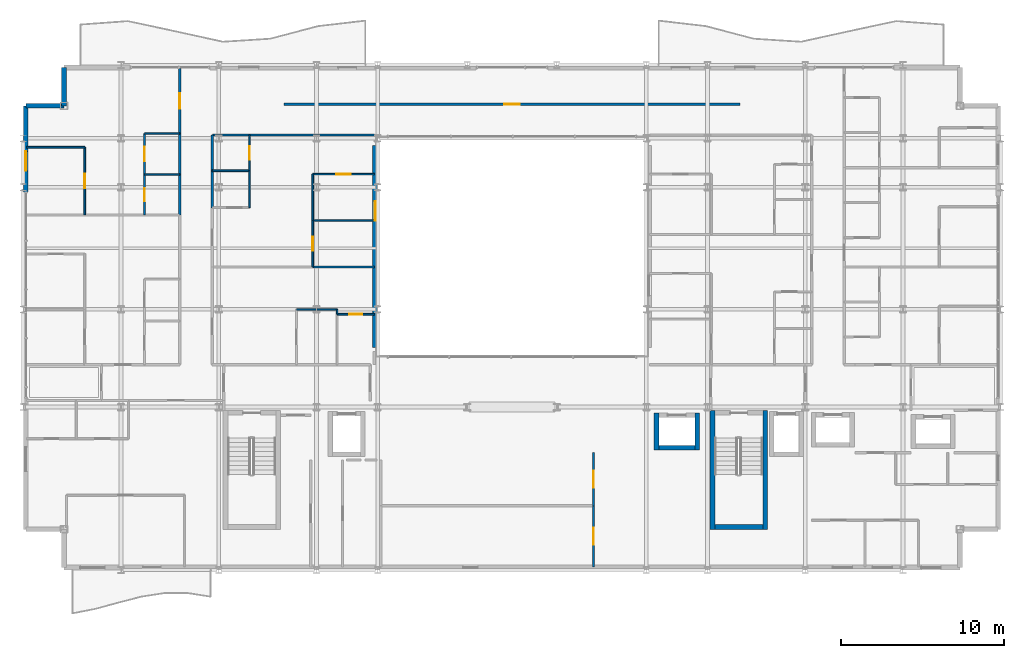
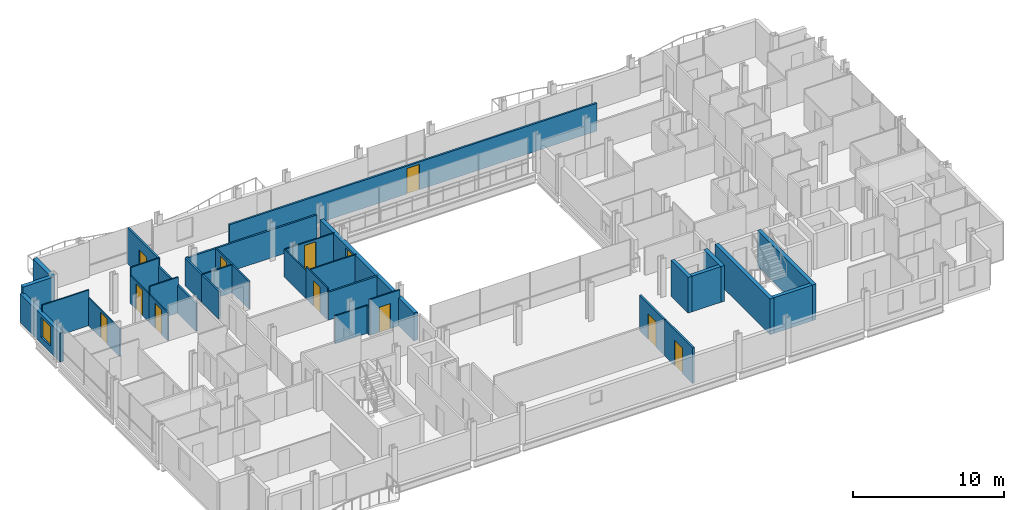
# One storey, part 33 of 40: 37 walls, 11 doors, 2 windows, 13 openings.
"""IFC4 building model written with IfcOpenShell, lengths in metres."""

from ifc_helpers import new_model, si_unit, direction, frame, frame_2d, origin, place, context, subcontext, project, spatial, rectangle, extrude, material, layer, layer_set, type_object, element, fill, save


model = new_model("IFC4")

# Units and contexts
model_context = context("Model", 3, precision=1e-05, world=origin(), true_north=direction((0.0, 1.0)))
body_context = subcontext(model_context, "Body", "Model", "MODEL_VIEW")
ifc_project = project(units=[si_unit("LENGTHUNIT", "METRE"), si_unit("AREAUNIT", "SQUARE_METRE"), si_unit("VOLUMEUNIT", "CUBIC_METRE"), si_unit("PLANEANGLEUNIT", "RADIAN"), si_unit("MASSUNIT", "GRAM", prefix="KILO")], contexts=[model_context])

# Site, building, storey
site_placement = place(None, origin())
site = spatial("IfcSite", under=ifc_project, at=site_placement, CompositionType="ELEMENT")
building_placement = place(site_placement, origin())
building = spatial("IfcBuilding", under=site, at=building_placement, Name="Brevholm Reach", CompositionType="ELEMENT")
storey_placement = place(building_placement, frame((0.0, 0.0, 125.199951171875)))
storey = spatial("IfcBuildingStorey", under=building, at=storey_placement, Name="L37", CompositionType="ELEMENT", Elevation=125.199951171875)

# Walls
ifc_material_1 = material(Name="Concrete C50/60", Category="concrete")
ifc_layer_1 = layer(ifc_material_1, 0.280029296875)
ifc_layer_set_1 = layer_set([ifc_layer_1], Name="Concrete C50/60")
wall_type_1 = type_object("IfcWallType", Name="WAL-COR-280", PredefinedType="SHEAR", material=ifc_layer_set_1)
for number, where, z_axis, x_axis, name in (
    (1, (42.31005859375, 2.5, 0.0), (0.0, 0.0, 1.0), (0.0, 1.0, 0.0), "L37 Escape Stair ST-2 Core Wall W"),
    (2, (45.5400390625, 2.5, 0.0), (0.0, 0.0, 1.0), (0.0, 1.0, 0.0), "L37 Escape Stair ST-2 Core Wall E"),
):
    element("IfcWall", number, at=place(storey_placement, frame(where, z_axis=z_axis, x_axis=x_axis)), inside=storey, type_object=wall_type_1, Name=name, PredefinedType="SHEAR", context=body_context, shape_type="SweptSolid", body=[
        extrude(rectangle(XDim=7.280029296875, YDim=0.280029296875, at=frame_2d((3.64013671875, 0.0))), origin(), (0.0, 0.0, 1.0), 2.880126953125),
    ])
wall_1_placement = place(storey_placement, frame((42.449951171875, 2.639892578125, 0.0), z_axis=(0.0, 0.0, 1.0), x_axis=(1.0, 0.0, 0.0)))
element("IfcWall", 3, at=wall_1_placement, inside=storey, type_object=wall_type_1, Name="L37 Escape Stair ST-2 Core Wall S", PredefinedType="SHEAR", context=body_context, shape_type="SweptSolid", body=[
    extrude(rectangle(XDim=2.949951171875, YDim=0.280029296875, at=frame_2d((1.47509765625, 0.0))), origin(), (0.0, 0.0, 1.0), 2.880126953125),
])
for number, where, z_axis, x_axis, name in (
    (4, (38.8701171875, 7.360107421875, 0.0), (0.0, 0.0, 1.0), (0.0, 1.0, 0.0), "L37 Lift PL-S1 Shaft Wall W"),
    (5, (41.3701171875, 7.360107421875, 0.0), (0.0, 0.0, 1.0), (0.0, 1.0, 0.0), "L37 Lift PL-S1 Shaft Wall E"),
):
    element("IfcWall", number, at=place(storey_placement, frame(where, z_axis=z_axis, x_axis=x_axis)), inside=storey, type_object=wall_type_1, Name=name, PredefinedType="SHEAR", context=body_context, shape_type="SweptSolid", body=[
        extrude(rectangle(XDim=2.27978515625, YDim=0.280029296875, at=frame_2d((1.139892578125, 0.0))), origin(), (0.0, 0.0, 1.0), 2.880126953125),
    ])
wall_2_placement = place(storey_placement, frame((39.010009765625, 7.5, 0.0), z_axis=(0.0, 0.0, 1.0), x_axis=(1.0, 0.0, 0.0)))
element("IfcWall", 6, at=wall_2_placement, inside=storey, type_object=wall_type_1, Name="L37 Lift PL-S1 Shaft Wall S", PredefinedType="SHEAR", context=body_context, shape_type="SweptSolid", body=[
    extrude(rectangle(XDim=2.219970703125, YDim=0.280029296875, at=frame_2d((1.10986328125, 0.0))), origin(), (0.0, 0.0, 1.0), 2.880126953125),
])
ifc_material_2 = material(Name="Concrete C40/50", Category="concrete")
ifc_layer_2 = layer(ifc_material_2, 0.300048828125)
ifc_layer_set_2 = layer_set([ifc_layer_2], Name="Concrete C40/50")
wall_type_2 = type_object("IfcWallType", Name="WAL-EXT-300", PredefinedType="STANDARD", material=ifc_layer_set_2)
for number, where, z_axis, x_axis, name in (
    (7, (2.5, 30.85009765625, 0.0), (0.0, 0.0, 1.0), (0.0, -1.0, 0.0), "L37 Facade Wall WAL-L37-CNW1"),
    (8, (2.5, 28.5, 0.0), (0.0, 0.0, 1.0), (-1.0, 0.0, 0.0), "L37 Facade Wall WAL-L37-CNW2"),
):
    element("IfcWall", number, at=place(storey_placement, frame(where, z_axis=z_axis, x_axis=x_axis)), inside=storey, type_object=wall_type_2, Name=name, PredefinedType="STANDARD", context=body_context, shape_type="SweptSolid", body=[
        extrude(rectangle(XDim=2.35009765625, YDim=0.300048828125, at=frame_2d((1.175048828125, 0.0))), origin(), (0.0, 0.0, 1.0), 2.880126953125),
    ])

# Wall, opening, window
wall_3_placement = place(storey_placement, frame((0.14990234375, 28.5, 0.0), z_axis=(0.0, 0.0, 1.0), x_axis=(0.0, -1.0, 0.0)))
wall_3 = element("IfcWall", 9, at=wall_3_placement, inside=storey, type_object=wall_type_2, Name="L37 Facade Wall WAL-L37-W-N", PredefinedType="STANDARD", context=body_context, shape_type="SweptSolid", body=[
    extrude(rectangle(XDim=5.280029296875, YDim=0.300048828125, at=frame_2d((2.64013671875, 0.0))), origin(), (0.0, 0.0, 1.0), 2.322021484375),
])
opening_1_placement = place(wall_3_placement, frame((2.800048828125, 0.0, 0.501953125)))
opening_1 = element("IfcOpeningElement", 10, at=opening_1_placement, cuts=wall_3, Name="Opening WN-08", PredefinedType="OPENING", context=body_context, shape_type="SweptSolid", body=[
    extrude(rectangle(XDim=1.199951171875, YDim=1.60009765625, at=frame_2d((0.60009765625, 0.800048828125))), frame((0.0, 0.159912109375, 0.0), z_axis=(0.0, -1.0, 0.0), x_axis=(1.0, 0.0, 0.0)), (0.0, 0.0, 1.0), 0.320068359375),
])
ifc_material_3 = material(Name="Dark Anodised Aluminium and Solar-Control IGU Glass", Category="aluminium")
window_type = type_object("IfcWindowType", Name="WIN-RES-1200", PartitioningType="SINGLE_PANEL", PredefinedType="WINDOW", material=ifc_material_3)
window_1_placement = place(opening_1_placement, origin())
window_1 = element("IfcWindow", 11, at=window_1_placement, inside=storey, type_object=window_type, Name="L37 Window WIN-L37-WN-1", OverallHeight=1.60009765625, OverallWidth=1.199951171875, PartitioningType="SINGLE_PANEL", PredefinedType="WINDOW", context=body_context, shape_type="SweptSolid", body=[
    extrude(rectangle(XDim=1.199951171875, YDim=1.60009765625, at=frame_2d((0.60009765625, 0.800048828125))), frame((0.0, 0.030029296875, 0.0), z_axis=(0.0, -1.0, 0.0), x_axis=(1.0, 0.0, 0.0)), (0.0, 0.0, 1.0), 0.06005859375),
])
fill(opening_1, window_1)

wall_4_placement = place(storey_placement, frame((21.60009765625, 26.050048828125, 0.0), z_axis=(0.0, 0.0, 1.0), x_axis=(0.0, -1.0, 0.0)))
wall_4 = element("IfcWall", 12, at=wall_4_placement, inside=storey, type_object=wall_type_2, Name="L37 Facade Wall WAL-L37-AT-W", PredefinedType="STANDARD", context=body_context, shape_type="SweptSolid", body=[
    extrude(rectangle(XDim=12.400146484375, YDim=0.300048828125, at=frame_2d((6.2001953125, 0.0))), origin(), (0.0, 0.0, 1.0), 2.242919921875),
])
opening_2_placement = place(wall_4_placement, frame((3.39990234375, 0.0, 0.423095703125)))
opening_2 = element("IfcOpeningElement", 13, at=opening_2_placement, cuts=wall_4, Name="Opening WN-08", PredefinedType="OPENING", context=body_context, shape_type="SweptSolid", body=[
    extrude(rectangle(XDim=1.199951171875, YDim=1.60009765625, at=frame_2d((0.60009765625, 0.800048828125))), frame((0.0, 0.159912109375, 0.0), z_axis=(0.0, -1.0, 0.0), x_axis=(1.0, 0.0, 0.0)), (0.0, 0.0, 1.0), 0.320068359375),
])
window_2_placement = place(opening_2_placement, origin())
window_2 = element("IfcWindow", 14, at=window_2_placement, inside=storey, type_object=window_type, Name="L37 Window WIN-L37-AT-W1", OverallHeight=1.60009765625, OverallWidth=1.199951171875, PartitioningType="SINGLE_PANEL", PredefinedType="WINDOW", context=body_context, shape_type="SweptSolid", body=[
    extrude(rectangle(XDim=1.199951171875, YDim=1.60009765625, at=frame_2d((0.60009765625, 0.800048828125))), frame((0.0, 0.030029296875, 0.0), z_axis=(0.0, -1.0, 0.0), x_axis=(1.0, 0.0, 0.0)), (0.0, 0.0, 1.0), 0.06005859375),
])
fill(opening_2, window_2)

# Wall
ifc_material_4 = material(Name="Moisture-Resistant Acoustic Gypsum Stud Partition 100 mm", Category="gypsum")
ifc_layer_3 = layer(ifc_material_4, 0.10009765625)
ifc_layer_set_3 = layer_set([ifc_layer_3], Name="Moisture-Resistant Acoustic Gypsum Stud Partition 100 mm")
wall_type_3 = type_object("IfcWallType", Name="WAL-PRT-100", PredefinedType="PARTITIONING", material=ifc_layer_set_3)
wall_5_placement = place(storey_placement, frame((7.43798828125, 24.27001953125, 0.0), z_axis=(0.0, 0.0, 1.0), x_axis=(1.0, 0.0, 0.0)))
element("IfcWall", 15, at=wall_5_placement, inside=storey, type_object=wall_type_3, Name="L37 Internal Partition 095", PredefinedType="PARTITIONING", context=body_context, shape_type="SweptSolid", body=[
    extrude(rectangle(XDim=2.157958984375, YDim=0.10009765625, at=frame_2d((1.0791015625, 0.0))), origin(), (0.0, 0.0, 1.0), 2.880126953125),
])

# Wall, opening, door
wall_6_placement = place(storey_placement, frame((7.43798828125, 21.803955078125, 0.0), z_axis=(0.0, 0.0, 1.0), x_axis=(0.0, 1.0, 0.0)))
wall_6 = element("IfcWall", 16, at=wall_6_placement, inside=storey, type_object=wall_type_3, Name="L37 Internal Partition 096", PredefinedType="PARTITIONING", context=body_context, shape_type="SweptSolid", body=[
    extrude(rectangle(XDim=2.466064453125, YDim=0.10009765625, at=frame_2d((1.23291015625, 0.0))), origin(), (0.0, 0.0, 1.0), 2.242919921875),
])
opening_3_placement = place(wall_6_placement, frame((0.822998046875, 0.0, 0.0)))
opening_3 = element("IfcOpeningElement", 17, at=opening_3_placement, cuts=wall_6, Name="Opening ID-03", PredefinedType="OPENING", context=body_context, shape_type="SweptSolid", body=[
    extrude(rectangle(XDim=0.820068359375, YDim=2.02001953125, at=frame_2d((0.41015625, 1.010009765625))), frame((0.0, 0.06005859375, 0.0), z_axis=(0.0, -1.0, 0.0), x_axis=(1.0, 0.0, 0.0)), (0.0, 0.0, 1.0), 0.1201171875),
])
ifc_material_5 = material(Name="Moisture-Resistant Painted Timber Internal Bathroom Door", Category="wood")
door_type_1 = type_object("IfcDoorType", Name="DOR-BATH-820", OperationType="NOTDEFINED", PredefinedType="DOOR", material=ifc_material_5)
door_1_placement = place(opening_3_placement, origin())
door_1 = element("IfcDoor", 18, at=door_1_placement, inside=storey, type_object=door_type_1, Name="L37 Internal Door 034", OperationType="SINGLE_SWING_RIGHT", OverallHeight=2.02001953125, OverallWidth=0.820068359375, PredefinedType="DOOR", context=body_context, shape_type="SweptSolid", body=[
    extrude(rectangle(XDim=0.820068359375, YDim=2.02001953125, at=frame_2d((0.41015625, 1.010009765625))), frame((0.0, 0.02490234375, 0.0), z_axis=(0.0, -1.0, 0.0), x_axis=(1.0, 0.0, 0.0)), (0.0, 0.0, 1.0), 0.050048828125),
])
fill(opening_3, door_1)

# Wall
wall_7_placement = place(storey_placement, frame((7.43798828125, 26.7900390625, 0.0), z_axis=(0.0, 0.0, 1.0), x_axis=(1.0, 0.0, 0.0)))
element("IfcWall", 19, at=wall_7_placement, inside=storey, type_object=wall_type_3, Name="L37 Internal Partition 097", PredefinedType="PARTITIONING", context=body_context, shape_type="SweptSolid", body=[
    extrude(rectangle(XDim=2.157958984375, YDim=0.10009765625, at=frame_2d((1.0791015625, 0.0))), origin(), (0.0, 0.0, 1.0), 2.880126953125),
])

# Wall, opening, door
wall_8_placement = place(storey_placement, frame((7.43798828125, 24.27392578125, 0.0), z_axis=(0.0, 0.0, 1.0), x_axis=(0.0, 1.0, 0.0)))
wall_8 = element("IfcWall", 20, at=wall_8_placement, inside=storey, type_object=wall_type_3, Name="L37 Internal Partition 098", PredefinedType="PARTITIONING", context=body_context, shape_type="SweptSolid", body=[
    extrude(rectangle(XDim=2.51611328125, YDim=0.10009765625, at=frame_2d((1.258056640625, 0.0))), origin(), (0.0, 0.0, 1.0), 2.242919921875),
])
opening_4_placement = place(wall_8_placement, frame((0.818115234375, 0.0, 0.0)))
opening_4 = element("IfcOpeningElement", 21, at=opening_4_placement, cuts=wall_8, Name="Opening ID-01", PredefinedType="OPENING", context=body_context, shape_type="SweptSolid", body=[
    extrude(rectangle(XDim=0.8798828125, YDim=2.0400390625, at=frame_2d((0.43994140625, 1.02001953125))), frame((0.0, 0.06005859375, 0.0), z_axis=(0.0, -1.0, 0.0), x_axis=(1.0, 0.0, 0.0)), (0.0, 0.0, 1.0), 0.1201171875),
])
ifc_material_6 = material(Name="Lacquered Ash Solid-Core Acoustic Internal Door", Category="timber")
door_type_2 = type_object("IfcDoorType", Name="DOR-INT-880", OperationType="NOTDEFINED", PredefinedType="DOOR", material=ifc_material_6)
door_2_placement = place(opening_4_placement, origin())
door_2 = element("IfcDoor", 22, at=door_2_placement, inside=storey, type_object=door_type_2, Name="L37 Internal Door 035", OperationType="SINGLE_SWING_LEFT", OverallHeight=2.0400390625, OverallWidth=0.8798828125, PredefinedType="DOOR", context=body_context, shape_type="SweptSolid", body=[
    extrude(rectangle(XDim=0.8798828125, YDim=2.0400390625, at=frame_2d((0.43994140625, 1.02001953125))), frame((0.0, 0.02490234375, 0.0), z_axis=(0.0, -1.0, 0.0), x_axis=(1.0, 0.0, 0.0)), (0.0, 0.0, 1.0), 0.050048828125),
])
fill(opening_4, door_2)

wall_9_placement = place(storey_placement, frame((3.77197265625, 21.803955078125, 0.0), z_axis=(0.0, 0.0, 1.0), x_axis=(0.0, 1.0, 0.0)))
wall_9 = element("IfcWall", 23, at=wall_9_placement, inside=storey, type_object=wall_type_3, Name="L37 Internal Partition 099", PredefinedType="PARTITIONING", context=body_context, shape_type="SweptSolid", body=[
    extrude(rectangle(XDim=4.14599609375, YDim=0.10009765625, at=frame_2d((2.072998046875, 0.0))), origin(), (0.0, 0.0, 1.0), 2.242919921875),
])
opening_5_placement = place(wall_9_placement, frame((1.633056640625, 0.0, 0.0)))
opening_5 = element("IfcOpeningElement", 24, at=opening_5_placement, cuts=wall_9, Name="Opening ID-01", PredefinedType="OPENING", context=body_context, shape_type="SweptSolid", body=[
    extrude(rectangle(XDim=0.8798828125, YDim=2.0400390625, at=frame_2d((0.43994140625, 1.02001953125))), frame((0.0, 0.06005859375, 0.0), z_axis=(0.0, -1.0, 0.0), x_axis=(1.0, 0.0, 0.0)), (0.0, 0.0, 1.0), 0.1201171875),
])
door_3_placement = place(opening_5_placement, origin())
door_3 = element("IfcDoor", 25, at=door_3_placement, inside=storey, type_object=door_type_2, Name="L37 Internal Door 036", OperationType="SINGLE_SWING_RIGHT", OverallHeight=2.0400390625, OverallWidth=0.8798828125, PredefinedType="DOOR", context=body_context, shape_type="SweptSolid", body=[
    extrude(rectangle(XDim=0.8798828125, YDim=2.0400390625, at=frame_2d((0.43994140625, 1.02001953125))), frame((0.0, 0.02490234375, 0.0), z_axis=(0.0, -1.0, 0.0), x_axis=(1.0, 0.0, 0.0)), (0.0, 0.0, 1.0), 0.050048828125),
])
fill(opening_5, door_3)

# Wall
wall_10_placement = place(storey_placement, frame((0.199951171875, 25.949951171875, 0.0), z_axis=(0.0, 0.0, 1.0), x_axis=(1.0, 0.0, 0.0)))
element("IfcWall", 26, at=wall_10_placement, inside=storey, type_object=wall_type_3, Name="L37 Internal Partition 100", PredefinedType="PARTITIONING", context=body_context, shape_type="SweptSolid", body=[
    extrude(rectangle(XDim=3.572021484375, YDim=0.10009765625, at=frame_2d((1.7861328125, 0.0))), origin(), (0.0, 0.0, 1.0), 2.880126953125),
])

# Wall, opening, door
wall_11_placement = place(storey_placement, frame((19.260986328125, 15.699951171875, 0.0), z_axis=(0.0, 0.0, 1.0), x_axis=(1.0, 0.0, 0.0)))
wall_11 = element("IfcWall", 27, at=wall_11_placement, inside=storey, type_object=wall_type_3, Name="L37 Internal Partition 102", PredefinedType="PARTITIONING", context=body_context, shape_type="SweptSolid", body=[
    extrude(rectangle(XDim=2.2890625, YDim=0.10009765625, at=frame_2d((1.14453125, 0.0))), origin(), (0.0, 0.0, 1.0), 2.880126953125),
])
opening_6_placement = place(wall_11_placement, frame((0.734619140625, 0.0, 0.0)))
opening_6 = element("IfcOpeningElement", 28, at=opening_6_placement, cuts=wall_11, Name="Opening ID-03", PredefinedType="OPENING", context=body_context, shape_type="SweptSolid", body=[
    extrude(rectangle(XDim=0.820068359375, YDim=2.02001953125, at=frame_2d((0.41015625, 1.010009765625))), frame((0.0, 0.06005859375, 0.0), z_axis=(0.0, -1.0, 0.0), x_axis=(1.0, 0.0, 0.0)), (0.0, 0.0, 1.0), 0.1201171875),
])
door_4_placement = place(opening_6_placement, origin())
door_4 = element("IfcDoor", 29, at=door_4_placement, inside=storey, type_object=door_type_1, Name="L37 Internal Door 037", OperationType="SINGLE_SWING_LEFT", OverallHeight=2.02001953125, OverallWidth=0.820068359375, PredefinedType="DOOR", context=body_context, shape_type="SweptSolid", body=[
    extrude(rectangle(XDim=0.820068359375, YDim=2.02001953125, at=frame_2d((0.41015625, 1.010009765625))), frame((0.0, 0.02490234375, 0.0), z_axis=(0.0, -1.0, 0.0), x_axis=(1.0, 0.0, 0.0)), (0.0, 0.0, 1.0), 0.050048828125),
])
fill(opening_6, door_4)

# Walls
wall_12_placement = place(storey_placement, frame((19.260986328125, 15.7041015625, 0.0), z_axis=(0.0, 0.0, 1.0), x_axis=(0.0, 1.0, 0.0)))
element("IfcWall", 30, at=wall_12_placement, inside=storey, type_object=wall_type_3, Name="L37 Internal Partition 103", PredefinedType="PARTITIONING", context=body_context, shape_type="SweptSolid", body=[
    extrude(rectangle(XDim=0.2958984375, YDim=0.10009765625, at=frame_2d((0.14794921875, 0.0))), origin(), (0.0, 0.0, 1.0), 2.242919921875),
])
wall_13_placement = place(storey_placement, frame((16.77294921875, 16.0, 0.0), z_axis=(0.0, 0.0, 1.0), x_axis=(1.0, 0.0, 0.0)))
element("IfcWall", 31, at=wall_13_placement, inside=storey, type_object=wall_type_3, Name="L37 Internal Partition 104", PredefinedType="PARTITIONING", context=body_context, shape_type="SweptSolid", body=[
    extrude(rectangle(XDim=2.488037109375, YDim=0.10009765625, at=frame_2d((1.244140625, 0.0))), origin(), (0.0, 0.0, 1.0), 2.242919921875),
])
wall_14_placement = place(storey_placement, frame((11.60400390625, 24.512939453125, 0.0), z_axis=(0.0, 0.0, 1.0), x_axis=(1.0, 0.0, 0.0)))
element("IfcWall", 32, at=wall_14_placement, inside=storey, type_object=wall_type_3, Name="L37 Internal Partition 108", PredefinedType="PARTITIONING", context=body_context, shape_type="SweptSolid", body=[
    extrude(rectangle(XDim=2.284912109375, YDim=0.10009765625, at=frame_2d((1.142578125, 0.0))), origin(), (0.0, 0.0, 1.0), 2.242919921875),
])

# Wall, opening, door
wall_15_placement = place(storey_placement, frame((13.888916015625, 24.512939453125, 0.0), z_axis=(0.0, 0.0, 1.0), x_axis=(0.0, 1.0, 0.0)))
wall_15 = element("IfcWall", 33, at=wall_15_placement, inside=storey, type_object=wall_type_3, Name="L37 Internal Partition 109", PredefinedType="PARTITIONING", context=body_context, shape_type="SweptSolid", body=[
    extrude(rectangle(XDim=2.18310546875, YDim=0.10009765625, at=frame_2d((1.091552734375, 0.0))), origin(), (0.0, 0.0, 1.0), 2.242919921875),
])
opening_7_placement = place(wall_15_placement, frame((0.681396484375, 0.0, 0.0)))
opening_7 = element("IfcOpeningElement", 34, at=opening_7_placement, cuts=wall_15, Name="Opening ID-03", PredefinedType="OPENING", context=body_context, shape_type="SweptSolid", body=[
    extrude(rectangle(XDim=0.820068359375, YDim=2.02001953125, at=frame_2d((0.41015625, 1.010009765625))), frame((0.0, 0.06005859375, 0.0), z_axis=(0.0, -1.0, 0.0), x_axis=(1.0, 0.0, 0.0)), (0.0, 0.0, 1.0), 0.1201171875),
])
door_5_placement = place(opening_7_placement, origin())
door_5 = element("IfcDoor", 35, at=door_5_placement, inside=storey, type_object=door_type_1, Name="L37 Internal Door 039", OperationType="SINGLE_SWING_LEFT", OverallHeight=2.02001953125, OverallWidth=0.820068359375, PredefinedType="DOOR", context=body_context, shape_type="SweptSolid", body=[
    extrude(rectangle(XDim=0.820068359375, YDim=2.02001953125, at=frame_2d((0.41015625, 1.010009765625))), frame((0.0, 0.02490234375, 0.0), z_axis=(0.0, -1.0, 0.0), x_axis=(1.0, 0.0, 0.0)), (0.0, 0.0, 1.0), 0.050048828125),
])
fill(opening_7, door_5)

# Walls
wall_16_placement = place(storey_placement, frame((13.888916015625, 22.2451171875, 0.0), z_axis=(0.0, 0.0, 1.0), x_axis=(0.0, 1.0, 0.0)))
element("IfcWall", 36, at=wall_16_placement, inside=storey, type_object=wall_type_3, Name="L37 Internal Partition 111", PredefinedType="PARTITIONING", context=body_context, shape_type="SweptSolid", body=[
    extrude(rectangle(XDim=2.263916015625, YDim=0.10009765625, at=frame_2d((1.1318359375, 0.0))), origin(), (0.0, 0.0, 1.0), 2.242919921875),
])
wall_17_placement = place(storey_placement, frame((17.76904296875, 21.449951171875, 0.0), z_axis=(0.0, 0.0, 1.0), x_axis=(1.0, 0.0, 0.0)))
element("IfcWall", 37, at=wall_17_placement, inside=storey, type_object=wall_type_3, Name="L37 Internal Partition 112", PredefinedType="PARTITIONING", context=body_context, shape_type="SweptSolid", body=[
    extrude(rectangle(XDim=3.781005859375, YDim=0.10009765625, at=frame_2d((1.890625, 0.0))), origin(), (0.0, 0.0, 1.0), 2.242919921875),
])

# Wall, opening, door
wall_18_placement = place(storey_placement, frame((17.76904296875, 18.60400390625, 0.0), z_axis=(0.0, 0.0, 1.0), x_axis=(0.0, 1.0, 0.0)))
wall_18 = element("IfcWall", 38, at=wall_18_placement, inside=storey, type_object=wall_type_3, Name="L37 Internal Partition 113", PredefinedType="PARTITIONING", context=body_context, shape_type="SweptSolid", body=[
    extrude(rectangle(XDim=2.845947265625, YDim=0.10009765625, at=frame_2d((1.4228515625, 0.0))), origin(), (0.0, 0.0, 1.0), 2.5517578125),
])
opening_8_placement = place(wall_18_placement, frame((0.98291015625, 0.0, 0.0)))
opening_8 = element("IfcOpeningElement", 39, at=opening_8_placement, cuts=wall_18, Name="Opening ID-01", PredefinedType="OPENING", context=body_context, shape_type="SweptSolid", body=[
    extrude(rectangle(XDim=0.8798828125, YDim=2.0400390625, at=frame_2d((0.43994140625, 1.02001953125))), frame((0.0, 0.06005859375, 0.0), z_axis=(0.0, -1.0, 0.0), x_axis=(1.0, 0.0, 0.0)), (0.0, 0.0, 1.0), 0.1201171875),
])
door_6_placement = place(opening_8_placement, origin())
door_6 = element("IfcDoor", 40, at=door_6_placement, inside=storey, type_object=door_type_2, Name="L37 Internal Door 041", OperationType="SINGLE_SWING_LEFT", OverallHeight=2.0400390625, OverallWidth=0.8798828125, PredefinedType="DOOR", context=body_context, shape_type="SweptSolid", body=[
    extrude(rectangle(XDim=0.8798828125, YDim=2.0400390625, at=frame_2d((0.43994140625, 1.02001953125))), frame((0.0, 0.02490234375, 0.0), z_axis=(0.0, -1.0, 0.0), x_axis=(1.0, 0.0, 0.0)), (0.0, 0.0, 1.0), 0.050048828125),
])
fill(opening_8, door_6)

wall_19_placement = place(storey_placement, frame((17.76904296875, 24.300048828125, 0.0), z_axis=(0.0, 0.0, 1.0), x_axis=(1.0, 0.0, 0.0)))
wall_19 = element("IfcWall", 41, at=wall_19_placement, inside=storey, type_object=wall_type_3, Name="L37 Internal Partition 114", PredefinedType="PARTITIONING", context=body_context, shape_type="SweptSolid", body=[
    extrude(rectangle(XDim=3.781005859375, YDim=0.10009765625, at=frame_2d((1.890625, 0.0))), origin(), (0.0, 0.0, 1.0), 2.242919921875),
])
opening_9_placement = place(wall_19_placement, frame((1.450439453125, 0.0, 0.0)))
opening_9 = element("IfcOpeningElement", 42, at=opening_9_placement, cuts=wall_19, Name="Opening ID-01", PredefinedType="OPENING", context=body_context, shape_type="SweptSolid", body=[
    extrude(rectangle(XDim=0.8798828125, YDim=2.0400390625, at=frame_2d((0.43994140625, 1.02001953125))), frame((0.0, 0.06005859375, 0.0), z_axis=(0.0, -1.0, 0.0), x_axis=(1.0, 0.0, 0.0)), (0.0, 0.0, 1.0), 0.1201171875),
])
door_7_placement = place(opening_9_placement, origin())
door_7 = element("IfcDoor", 43, at=door_7_placement, inside=storey, type_object=door_type_2, Name="L37 Internal Door 042", OperationType="SINGLE_SWING_RIGHT", OverallHeight=2.0400390625, OverallWidth=0.8798828125, PredefinedType="DOOR", context=body_context, shape_type="SweptSolid", body=[
    extrude(rectangle(XDim=0.8798828125, YDim=2.0400390625, at=frame_2d((0.43994140625, 1.02001953125))), frame((0.0, 0.02490234375, 0.0), z_axis=(0.0, -1.0, 0.0), x_axis=(1.0, 0.0, 0.0)), (0.0, 0.0, 1.0), 0.050048828125),
])
fill(opening_9, door_7)

# Wall
wall_20_placement = place(storey_placement, frame((17.76904296875, 21.4541015625, 0.0), z_axis=(0.0, 0.0, 1.0), x_axis=(0.0, 1.0, 0.0)))
element("IfcWall", 44, at=wall_20_placement, inside=storey, type_object=wall_type_3, Name="L37 Internal Partition 115", PredefinedType="PARTITIONING", context=body_context, shape_type="SweptSolid", body=[
    extrude(rectangle(XDim=2.845947265625, YDim=0.10009765625, at=frame_2d((1.4228515625, 0.0))), origin(), (0.0, 0.0, 1.0), 2.242919921875),
])

# Wall, opening, door
ifc_material_7 = material(Name="Twin-Stud Acoustic Fire-Rated Gypsum Partition 140 mm", Category="gypsum")
ifc_layer_4 = layer(ifc_material_7, 0.139892578125)
ifc_layer_set_4 = layer_set([ifc_layer_4], Name="Twin-Stud Acoustic Fire-Rated Gypsum Partition 140 mm")
wall_type_4 = type_object("IfcWallType", Name="WAL-PRT-140", PredefinedType="PARTITIONING", material=ifc_layer_set_4)
wall_21_placement = place(storey_placement, frame((35.0, 0.179931640625, 0.0), z_axis=(0.0, 0.0, 1.0), x_axis=(0.0, 1.0, 0.0)))
wall_21 = element("IfcWall", 45, at=wall_21_placement, inside=storey, type_object=wall_type_4, Name="L37 Internal Partition 001", PredefinedType="PARTITIONING", context=body_context, shape_type="SweptSolid", body=[
    extrude(rectangle(XDim=3.771484375, YDim=0.139892578125, at=frame_2d((1.8857421875, 0.0))), origin(), (0.0, 0.0, 1.0), 2.880126953125),
])
opening_10_placement = place(wall_21_placement, frame((1.360595703125, 0.0, 0.0)))
opening_10 = element("IfcOpeningElement", 46, at=opening_10_placement, cuts=wall_21, Name="Opening FD-01", PredefinedType="OPENING", context=body_context, shape_type="SweptSolid", body=[
    extrude(rectangle(XDim=1.050048828125, YDim=2.06005859375, at=frame_2d((0.52490234375, 1.030029296875))), frame((0.0, 0.079833984375, 0.0), z_axis=(0.0, -1.0, 0.0), x_axis=(1.0, 0.0, 0.0)), (0.0, 0.0, 1.0), 0.159912109375),
])
ifc_material_8 = material(Name="Hardwood-Lipped Steel-Core Fire and Smoke Door", Category="steel")
door_type_3 = type_object("IfcDoorType", Name="DOR-INT-FD60S", OperationType="NOTDEFINED", PredefinedType="DOOR", material=ifc_material_8)
door_8_placement = place(opening_10_placement, origin())
door_8 = element("IfcDoor", 47, at=door_8_placement, inside=storey, type_object=door_type_3, Name="L37 Internal Door 001", OperationType="SINGLE_SWING_LEFT", OverallHeight=2.06005859375, OverallWidth=1.050048828125, PredefinedType="DOOR", context=body_context, shape_type="SweptSolid", body=[
    extrude(rectangle(XDim=1.050048828125, YDim=2.06005859375, at=frame_2d((0.52490234375, 1.030029296875))), frame((0.0, 0.02490234375, 0.0), z_axis=(0.0, -1.0, 0.0), x_axis=(1.0, 0.0, 0.0)), (0.0, 0.0, 1.0), 0.050048828125),
])
fill(opening_10, door_8)

wall_22_placement = place(storey_placement, frame((35.0, 3.9326171875, 0.0), z_axis=(0.0, 0.0, 1.0), x_axis=(0.0, 1.0, 0.0)))
wall_22 = element("IfcWall", 48, at=wall_22_placement, inside=storey, type_object=wall_type_4, Name="L37 Internal Partition 002", PredefinedType="PARTITIONING", context=body_context, shape_type="SweptSolid", body=[
    extrude(rectangle(XDim=3.278564453125, YDim=0.139892578125, at=frame_2d((1.63916015625, 0.0))), origin(), (0.0, 0.0, 1.0), 2.880126953125),
])
opening_11_placement = place(wall_22_placement, frame((1.1142578125, 0.0, 0.0)))
opening_11 = element("IfcOpeningElement", 49, at=opening_11_placement, cuts=wall_22, Name="Opening FD-01", PredefinedType="OPENING", context=body_context, shape_type="SweptSolid", body=[
    extrude(rectangle(XDim=1.050048828125, YDim=2.06005859375, at=frame_2d((0.52490234375, 1.030029296875))), frame((0.0, 0.079833984375, 0.0), z_axis=(0.0, -1.0, 0.0), x_axis=(1.0, 0.0, 0.0)), (0.0, 0.0, 1.0), 0.159912109375),
])
door_9_placement = place(opening_11_placement, origin())
door_9 = element("IfcDoor", 50, at=door_9_placement, inside=storey, type_object=door_type_3, Name="L37 Internal Door 002", OperationType="SINGLE_SWING_RIGHT", OverallHeight=2.06005859375, OverallWidth=1.050048828125, PredefinedType="DOOR", context=body_context, shape_type="SweptSolid", body=[
    extrude(rectangle(XDim=1.050048828125, YDim=2.06005859375, at=frame_2d((0.52490234375, 1.030029296875))), frame((0.0, 0.02490234375, 0.0), z_axis=(0.0, -1.0, 0.0), x_axis=(1.0, 0.0, 0.0)), (0.0, 0.0, 1.0), 0.050048828125),
])
fill(opening_11, door_9)

# Walls
wall_23_placement = place(storey_placement, frame((9.60009765625, 21.792724609375, 0.0), z_axis=(0.0, 0.0, 1.0), x_axis=(0.0, 1.0, 0.0)))
element("IfcWall", 51, at=wall_23_placement, inside=storey, type_object=wall_type_4, Name="L37 Internal Partition 035", PredefinedType="PARTITIONING", context=body_context, shape_type="SweptSolid", body=[
    extrude(rectangle(XDim=2.488525390625, YDim=0.139892578125, at=frame_2d((1.244140625, 0.0))), origin(), (0.0, 0.0, 1.0), 2.242919921875),
])
wall_24_placement = place(storey_placement, frame((9.60009765625, 24.2626953125, 0.0), z_axis=(0.0, 0.0, 1.0), x_axis=(0.0, 1.0, 0.0)))
element("IfcWall", 52, at=wall_24_placement, inside=storey, type_object=wall_type_4, Name="L37 Internal Partition 036", PredefinedType="PARTITIONING", context=body_context, shape_type="SweptSolid", body=[
    extrude(rectangle(XDim=2.53857421875, YDim=0.139892578125, at=frame_2d((1.269287109375, 0.0))), origin(), (0.0, 0.0, 1.0), 2.242919921875),
])

# Wall, opening, door
wall_25_placement = place(storey_placement, frame((9.60009765625, 26.78271484375, 0.0), z_axis=(0.0, 0.0, 1.0), x_axis=(0.0, 1.0, 0.0)))
wall_25 = element("IfcWall", 53, at=wall_25_placement, inside=storey, type_object=wall_type_4, Name="L37 Internal Partition 037", PredefinedType="PARTITIONING", context=body_context, shape_type="SweptSolid", body=[
    extrude(rectangle(XDim=4.017333984375, YDim=0.139892578125, at=frame_2d((2.0087890625, 0.0))), origin(), (0.0, 0.0, 1.0), 2.880126953125),
])
opening_12_placement = place(wall_25_placement, frame((1.53369140625, 0.0, 0.0)))
opening_12 = element("IfcOpeningElement", 54, at=opening_12_placement, cuts=wall_25, Name="Opening ID-30", PredefinedType="OPENING", context=body_context, shape_type="SweptSolid", body=[
    extrude(rectangle(XDim=0.949951171875, YDim=2.050048828125, at=frame_2d((0.47509765625, 1.02490234375))), frame((0.0, 0.079833984375, 0.0), z_axis=(0.0, -1.0, 0.0), x_axis=(1.0, 0.0, 0.0)), (0.0, 0.0, 1.0), 0.159912109375),
])
ifc_material_9 = material(Name="European Oak Veneered Solid-Core Fire Entrance Door", Category="timber")
door_type_4 = type_object("IfcDoorType", Name="DOR-FLT-FD30S", OperationType="NOTDEFINED", PredefinedType="DOOR", material=ifc_material_9)
door_10_placement = place(opening_12_placement, origin())
door_10 = element("IfcDoor", 55, at=door_10_placement, inside=storey, type_object=door_type_4, Name="L37 Internal Door 015", OperationType="SINGLE_SWING_LEFT", OverallHeight=2.050048828125, OverallWidth=0.949951171875, PredefinedType="DOOR", context=body_context, shape_type="SweptSolid", body=[
    extrude(rectangle(XDim=0.949951171875, YDim=2.050048828125, at=frame_2d((0.47509765625, 1.02490234375))), frame((0.0, 0.02490234375, 0.0), z_axis=(0.0, -1.0, 0.0), x_axis=(1.0, 0.0, 0.0)), (0.0, 0.0, 1.0), 0.050048828125),
])
fill(opening_12, door_10)

# Walls
wall_26_placement = place(storey_placement, frame((11.60009765625, 24.501708984375, 0.0), z_axis=(0.0, 0.0, 1.0), x_axis=(0.0, 1.0, 0.0)))
element("IfcWall", 56, at=wall_26_placement, inside=storey, type_object=wall_type_4, Name="L37 Internal Partition 039", PredefinedType="PARTITIONING", context=body_context, shape_type="SweptSolid", body=[
    extrude(rectangle(XDim=2.20556640625, YDim=0.139892578125, at=frame_2d((1.102783203125, 0.0))), origin(), (0.0, 0.0, 1.0), 2.242919921875),
])
wall_27_placement = place(storey_placement, frame((11.60009765625, 22.233642578125, 0.0), z_axis=(0.0, 0.0, 1.0), x_axis=(0.0, 1.0, 0.0)))
element("IfcWall", 57, at=wall_27_placement, inside=storey, type_object=wall_type_4, Name="L37 Internal Partition 040", PredefinedType="PARTITIONING", context=body_context, shape_type="SweptSolid", body=[
    extrude(rectangle(XDim=2.28662109375, YDim=0.139892578125, at=frame_2d((1.143310546875, 0.0))), origin(), (0.0, 0.0, 1.0), 2.242919921875),
])
wall_28_placement = place(storey_placement, frame((11.60400390625, 26.699951171875, 0.0), z_axis=(0.0, 0.0, 1.0), x_axis=(1.0, 0.0, 0.0)))
element("IfcWall", 58, at=wall_28_placement, inside=storey, type_object=wall_type_4, Name="L37 Internal Partition 057", PredefinedType="PARTITIONING", context=body_context, shape_type="SweptSolid", body=[
    extrude(rectangle(XDim=2.29638671875, YDim=0.139892578125, at=frame_2d((1.148193359375, 0.0))), origin(), (0.0, 0.0, 1.0), 2.242919921875),
])
wall_29_placement = place(storey_placement, frame((13.881591796875, 26.699951171875, 0.0), z_axis=(0.0, 0.0, 1.0), x_axis=(1.0, 0.0, 0.0)))
element("IfcWall", 59, at=wall_29_placement, inside=storey, type_object=wall_type_4, Name="L37 Internal Partition 058", PredefinedType="PARTITIONING", context=body_context, shape_type="SweptSolid", body=[
    extrude(rectangle(XDim=7.6796875, YDim=0.139892578125, at=frame_2d((3.83984375, 0.0))), origin(), (0.0, 0.0, 1.0), 2.242919921875),
])

# Wall, opening, door
wall_30_placement = place(storey_placement, frame((15.98876953125, 28.60009765625, 0.0), z_axis=(0.0, 0.0, 1.0), x_axis=(1.0, 0.0, 0.0)))
wall_30 = element("IfcWall", 60, at=wall_30_placement, inside=storey, type_object=wall_type_4, Name="L37 Internal Partition 060", PredefinedType="PARTITIONING", context=body_context, shape_type="SweptSolid", body=[
    extrude(rectangle(XDim=28.0224609375, YDim=0.139892578125, at=frame_2d((14.01123046875, 0.0))), origin(), (0.0, 0.0, 1.0), 2.242919921875),
])
opening_13_placement = place(wall_30_placement, frame((13.536376953125, 0.0, 0.0)))
opening_13 = element("IfcOpeningElement", 61, at=opening_13_placement, cuts=wall_30, Name="Opening ID-30", PredefinedType="OPENING", context=body_context, shape_type="SweptSolid", body=[
    extrude(rectangle(XDim=0.949951171875, YDim=2.050048828125, at=frame_2d((0.47509765625, 1.02490234375))), frame((0.0, 0.079833984375, 0.0), z_axis=(0.0, -1.0, 0.0), x_axis=(1.0, 0.0, 0.0)), (0.0, 0.0, 1.0), 0.159912109375),
])
door_11_placement = place(opening_13_placement, origin())
door_11 = element("IfcDoor", 62, at=door_11_placement, inside=storey, type_object=door_type_4, Name="L37 Internal Door 022", OperationType="SINGLE_SWING_RIGHT", OverallHeight=2.050048828125, OverallWidth=0.949951171875, PredefinedType="DOOR", context=body_context, shape_type="SweptSolid", body=[
    extrude(rectangle(XDim=0.949951171875, YDim=2.050048828125, at=frame_2d((0.47509765625, 1.02490234375))), frame((0.0, 0.02490234375, 0.0), z_axis=(0.0, -1.0, 0.0), x_axis=(1.0, 0.0, 0.0)), (0.0, 0.0, 1.0), 0.050048828125),
])
fill(opening_13, door_11)

# Wall
wall_31_placement = place(storey_placement, frame((17.7578125, 18.60009765625, 0.0), z_axis=(0.0, 0.0, 1.0), x_axis=(1.0, 0.0, 0.0)))
element("IfcWall", 63, at=wall_31_placement, inside=storey, type_object=wall_type_4, Name="L37 Internal Partition 106", PredefinedType="PARTITIONING", context=body_context, shape_type="SweptSolid", body=[
    extrude(rectangle(XDim=3.792236328125, YDim=0.139892578125, at=frame_2d((1.89599609375, 0.0))), origin(), (0.0, 0.0, 1.0), 2.242919921875),
])

save(model, "model.ifc")
